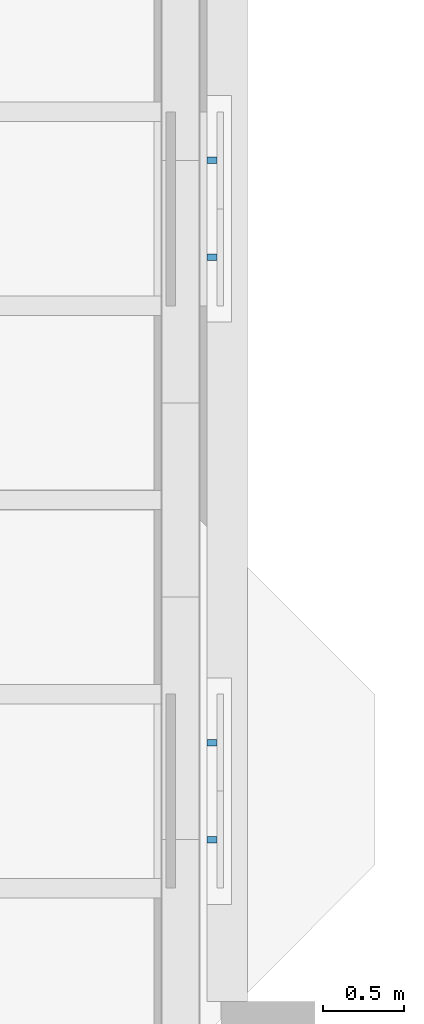
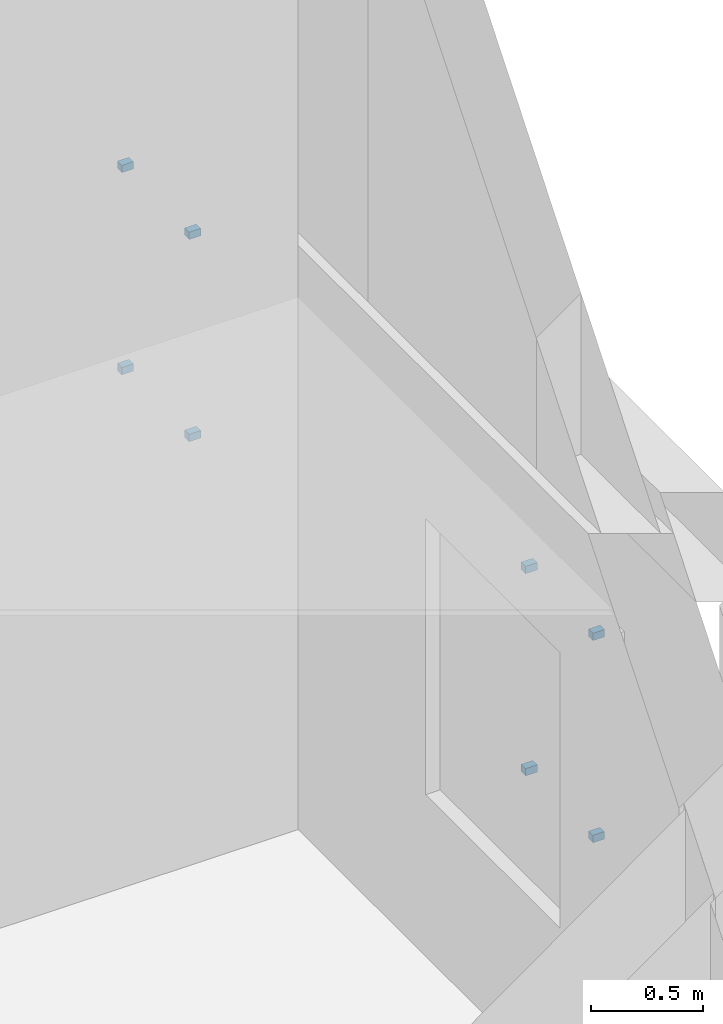
# One storey, part 42 of 51: 8 discrete accessories.
"""IFC4 building model written with IfcOpenShell, lengths in metres."""

import ifcopenshell
import ifcopenshell.guid

model = None  # the IFC model being written
_history = None  # IfcOwnerHistory: only IFC2X3 demands one
_inside = {}  # id of a spatial element -> (the spatial element, [elements in it])
_under = {}  # id of a project, library or spatial element -> (it, [spatial elements below it])
_declared = {}  # id of a project -> (the project, [libraries it declares])
_typed = {}  # id of a type object -> (the type object, [elements of that type])
_made_of = {}  # id of a material, layer set ... -> (it, [elements and type objects made of it])


def new_model(schema):
    """Start an empty IFC model of exactly this schema.

    Asked for "IFC4X3", IfcOpenShell would pick the latest addendum, in which some entities
    have other attributes; the version numbers below select the first issue.
    IFC2X3 requires an IfcOwnerHistory on every rooted entity: one is made here for all.
    """
    global model, _history
    if schema == "IFC4X3":
        model = ifcopenshell.file(schema_version=(4, 3, 0, 0))
    else:
        model = ifcopenshell.file(schema=schema)
    _inside.clear()
    _under.clear()
    _declared.clear()
    _typed.clear()
    _made_of.clear()
    _history = None
    if model.schema == "IFC2X3":
        org = make("IfcOrganization", Name="unknown")
        user = make(
            "IfcPersonAndOrganization",
            ThePerson=make("IfcPerson", FamilyName="unknown"),
            TheOrganization=org,
        )
        app = make(
            "IfcApplication",
            ApplicationDeveloper=org,
            Version="unknown",
            ApplicationFullName="unknown",
            ApplicationIdentifier="unknown",
        )
        _history = make(
            "IfcOwnerHistory",
            OwningUser=user,
            OwningApplication=app,
            ChangeAction="ADDED",
            CreationDate=0,
        )
    return model


def make(cls, **values):
    """One entity of the class cls with the attributes given. An attribute that is None is left unset."""
    return model.create_entity(
        cls, **{name: value for name, value in values.items() if value is not None}
    )


def rooted(cls, **values):
    """An entity with a GlobalId (a new one), such as an element, a storey or a relation."""
    return make(cls, GlobalId=ifcopenshell.guid.new(), OwnerHistory=_history, **values)


def si_unit(unit_type, name, prefix=None):
    """IfcSIUnit, for example si_unit("LENGTHUNIT", "METRE", prefix="MILLI")."""
    return make("IfcSIUnit", UnitType=unit_type, Prefix=prefix, Name=name)


def assignment(units):
    """IfcUnitAssignment: the units of a project."""
    return None if units is None else make("IfcUnitAssignment", Units=units)


def point(xyz):
    """IfcCartesianPoint."""
    return None if xyz is None else make("IfcCartesianPoint", Coordinates=xyz)


def direction(xyz):
    """IfcDirection."""
    return None if xyz is None else make("IfcDirection", DirectionRatios=xyz)


def frame(location, z_axis=None, x_axis=None):
    """IfcAxis2Placement3D, a coordinate frame: its origin and axes. An axis left out is left unset."""
    return make(
        "IfcAxis2Placement3D",
        Location=point(location),
        Axis=direction(z_axis),
        RefDirection=direction(x_axis),
    )


def frame_2d(location, x_axis=None):
    """IfcAxis2Placement2D, a coordinate frame in the plane: its origin and x axis."""
    return make(
        "IfcAxis2Placement2D", Location=point(location), RefDirection=direction(x_axis)
    )


def origin():
    """The frame at (0, 0, 0) with its axes left unset."""
    return frame((0.0, 0.0, 0.0))


def origin_2d():
    """The frame at (0, 0) in the plane with its x axis left unset."""
    return frame_2d((0.0, 0.0))


def place(relative_to, where):
    """IfcLocalPlacement: puts the frame where relative to a parent placement (None: the world)."""
    return make(
        "IfcLocalPlacement", PlacementRelTo=relative_to, RelativePlacement=where
    )


def context(
    kind, dimensions, precision=None, world=None, true_north=None, identifier=None
):
    """IfcGeometricRepresentationContext, for example the 3D "Model" context."""
    return make(
        "IfcGeometricRepresentationContext",
        ContextIdentifier=identifier,
        ContextType=kind,
        CoordinateSpaceDimension=dimensions,
        Precision=precision,
        WorldCoordinateSystem=world,
        TrueNorth=true_north,
    )


def subcontext(parent, identifier, kind, view, scale=None):
    """IfcGeometricRepresentationSubContext, for example "Body" below "Model"."""
    return make(
        "IfcGeometricRepresentationSubContext",
        ContextIdentifier=identifier,
        ContextType=kind,
        ParentContext=parent,
        TargetScale=scale,
        TargetView=view,
    )


def project(units=None, contexts=None):
    """IfcProject with its units and contexts."""
    return rooted(
        "IfcProject",
        Name="project",
        RepresentationContexts=contexts,
        UnitsInContext=assignment(units),
    )


def spatial(cls, under=None, at=None, **own):
    """A site, building, storey or space (cls), placed at a placement, below another one or the project."""
    s = rooted(cls, ObjectPlacement=at, **own)
    if under is not None:
        _under.setdefault(under.id(), (under, []))[1].append(s)
    return s


def profile(cls, at=None, kind="AREA", **sizes):
    """A parametric profile (cls). Its sizes go by their IFC names, for example OverallWidth=200.0."""
    return make(cls, ProfileType=kind, Position=at, **sizes)


def rectangle(**sizes):
    """IfcRectangleProfileDef."""
    return profile("IfcRectangleProfileDef", **sizes)


def extrude(swept, where, along, depth):
    """IfcExtrudedAreaSolid: the profile swept, set in the frame where, extruded along a direction by depth."""
    return make(
        "IfcExtrudedAreaSolid",
        SweptArea=swept,
        Position=where,
        ExtrudedDirection=direction(along),
        Depth=depth,
    )


def shape(context_of_items, identifier, shape_type, items):
    """IfcShapeRepresentation: the items that make up one representation, for example the "Body"."""
    return make(
        "IfcShapeRepresentation",
        ContextOfItems=context_of_items,
        RepresentationIdentifier=identifier,
        RepresentationType=shape_type,
        Items=items,
    )


def material(Name=None, Category=None):
    """IfcMaterial."""
    return make("IfcMaterial", Name=Name, Category=Category)


def made_of(thing, what):
    """Note that an element or type object is made of a material, layer set ...; save() writes the relation."""
    if what is not None:
        _made_of.setdefault(what.id(), (what, []))[1].append(thing)
    return thing


def type_object(cls, material=None, **own):
    """A type object (cls), such as IfcWallType, which elements share."""
    return made_of(rooted(cls, **own), material)


def element(
    cls,
    number,
    at=None,
    inside=None,
    cuts=None,
    type_object=None,
    material=None,
    context=None,
    identifier="Body",
    shape_type=None,
    held_by="IfcProductDefinitionShape",
    body=None,
    shapes=None,
    **own,
):
    """One element of the class cls, such as IfcWall. Its Tag is "e" and its number.

    at: its placement. inside: the storey or other place that contains it. cuts: it is an
    opening in that element (IfcRelVoidsElement). A single representation is given by context,
    identifier, shape_type and body (its items); several are given by shapes. held_by: the class
    of the entity that holds the representations. save() writes the other relations.
    """
    e = rooted(cls, Tag="e%d" % number, ObjectPlacement=at, **own)
    if body is not None:
        shapes = [shape(context, identifier, shape_type, body)]
    if shapes is not None:
        e.Representation = make(held_by, Representations=shapes)
    if inside is not None:
        _inside.setdefault(inside.id(), (inside, []))[1].append(e)
    if cuts is not None:
        rooted(
            "IfcRelVoidsElement", RelatingBuildingElement=cuts, RelatedOpeningElement=e
        )
    if type_object is not None:
        _typed.setdefault(type_object.id(), (type_object, []))[1].append(e)
    return made_of(e, material)


def aggregate(whole, parts):
    """IfcRelAggregates: a whole, such as a stair, and the parts it consists of."""
    return rooted("IfcRelAggregates", RelatingObject=whole, RelatedObjects=parts)


def save(model, path):
    """Write the relations noted so far, then the file.

    IfcRelAggregates (storeys below a building ...), IfcRelContainedInSpatialStructure (elements
    in a storey), IfcRelDefinesByType, IfcRelAssociatesMaterial and IfcRelDeclares: one each for
    every whole, place, type object, material and project.
    """
    for whole, parts in _under.values():
        aggregate(whole, parts)
    for where, things in _inside.values():
        rooted(
            "IfcRelContainedInSpatialStructure",
            RelatedElements=things,
            RelatingStructure=where,
        )
    for kind, things in _typed.values():
        rooted("IfcRelDefinesByType", RelatedObjects=things, RelatingType=kind)
    for what, things in _made_of.values():
        rooted("IfcRelAssociatesMaterial", RelatedObjects=things, RelatingMaterial=what)
    for by, libraries in _declared.values():
        rooted("IfcRelDeclares", RelatingContext=by, RelatedDefinitions=libraries)
    model.write(path)


model = new_model("IFC4")

# Units and contexts
model_context = context("Model", 3, precision=1e-05, world=origin(), true_north=direction((0.0, 1.0)))
body_context = subcontext(model_context, "Body", "Model", "MODEL_VIEW")
ifc_project = project(units=[si_unit("LENGTHUNIT", "METRE"), si_unit("AREAUNIT", "SQUARE_METRE"), si_unit("VOLUMEUNIT", "CUBIC_METRE"), si_unit("PLANEANGLEUNIT", "RADIAN"), si_unit("MASSUNIT", "GRAM", prefix="KILO")], contexts=[model_context])

# Site, building, storey
site_placement = place(None, origin())
site = spatial("IfcSite", under=ifc_project, at=site_placement, CompositionType="ELEMENT")
building_placement = place(site_placement, origin())
building = spatial("IfcBuilding", under=site, at=building_placement, Name="Mazhai Court Health Centre", CompositionType="ELEMENT")
storey_placement = place(building_placement, frame((0.0, 0.0, 14.10009765625)))
storey = spatial("IfcBuildingStorey", under=building, at=storey_placement, Name="L03", CompositionType="ELEMENT", Elevation=14.10009765625)

# Discrete accessories
ifc_material = material(Name="Steel IS 2062 E250", Category="steel")
discrete_accessory_type = type_object("IfcDiscreteAccessoryType", Name="BRACKET 40", PredefinedType="BRACKET", material=ifc_material)
for number, where, z_axis, x_axis, name in (
    (1, (35.195068359375, 14.89990234375, 1.079833984375), (0.0, 0.0, 1.0), (0.0, 1.0, 0.0), "BR-V5-L03-B10a0"),
    (2, (35.195068359375, 14.89990234375, 2.179931640625), (0.0, 0.0, 1.0), (0.0, 1.0, 0.0), "BR-V5-L03-B10a1"),
    (3, (35.195068359375, 15.5, 1.079833984375), (0.0, 0.0, 1.0), (0.0, 1.0, 0.0), "BR-V5-L03-B10b0"),
    (4, (35.195068359375, 15.5, 2.179931640625), (0.0, 0.0, 1.0), (0.0, 1.0, 0.0), "BR-V5-L03-B10b1"),
    (5, (35.195068359375, 18.5, 1.079833984375), (0.0, 0.0, 1.0), (0.0, 1.0, 0.0), "BR-V5-L03-B11a0"),
    (6, (35.195068359375, 18.5, 2.179931640625), (0.0, 0.0, 1.0), (0.0, 1.0, 0.0), "BR-V5-L03-B11a1"),
    (7, (35.195068359375, 19.10009765625, 1.079833984375), (0.0, 0.0, 1.0), (0.0, 1.0, 0.0), "BR-V5-L03-B11b0"),
    (8, (35.195068359375, 19.10009765625, 2.179931640625), (0.0, 0.0, 1.0), (0.0, 1.0, 0.0), "BR-V5-L03-B11b1"),
):
    element("IfcDiscreteAccessory", number, at=place(storey_placement, frame(where, z_axis=z_axis, x_axis=x_axis)), inside=storey, type_object=discrete_accessory_type, Name=name, PredefinedType="BRACKET", context=body_context, shape_type="SweptSolid", body=[
        extrude(rectangle(XDim=0.0400390625, YDim=0.06005859375, at=origin_2d()), origin(), (0.0, 0.0, 1.0), 0.0400390625),
    ])

save(model, "model.ifc")
